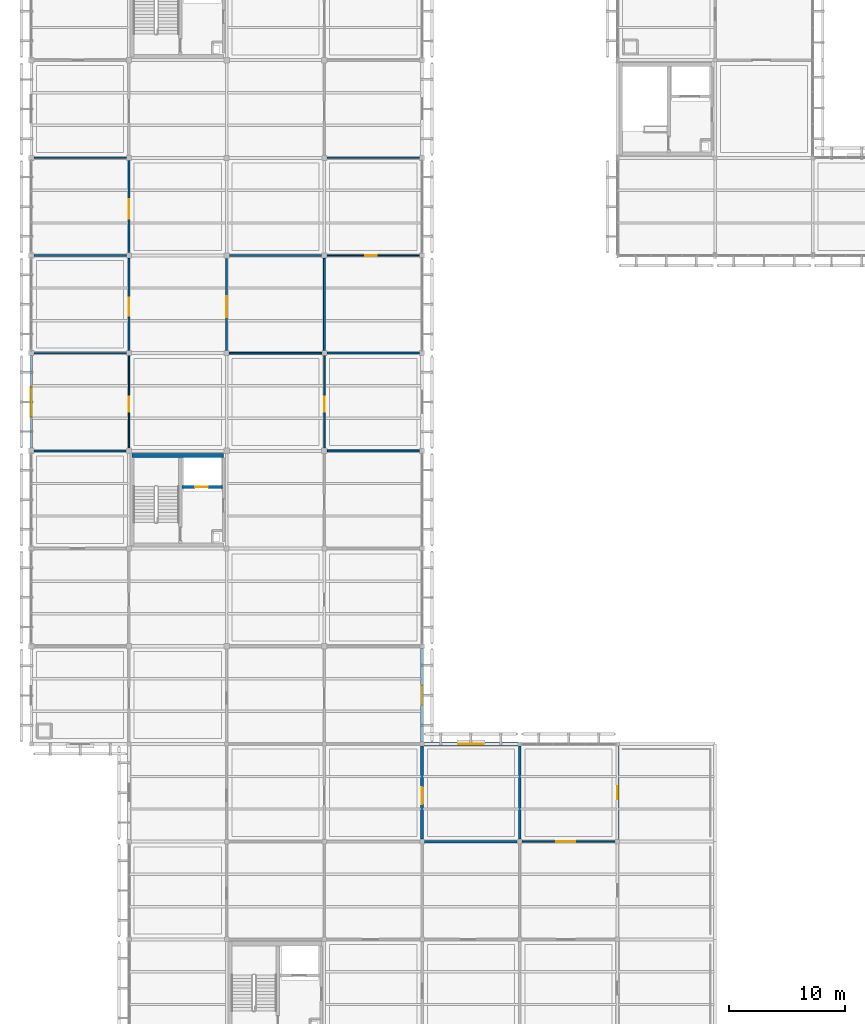
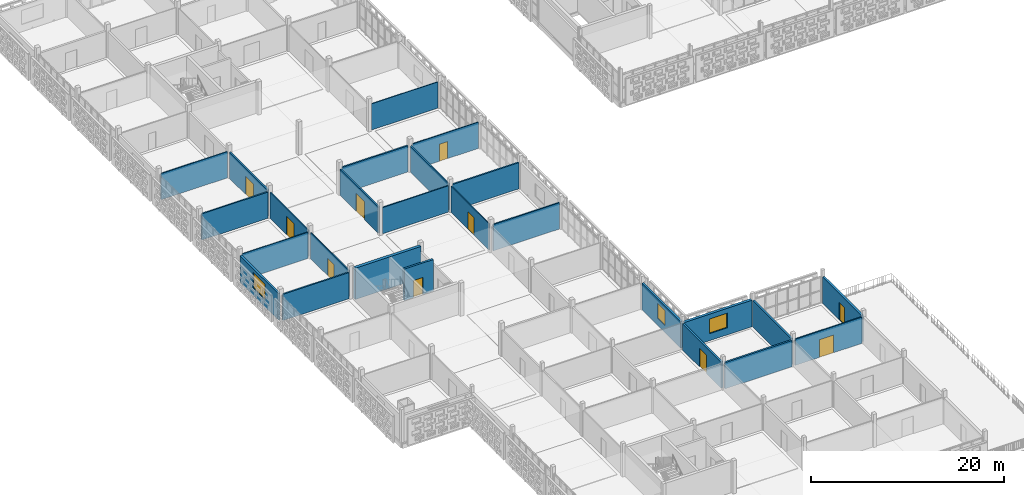
# One storey, part 85 of 140: 26 walls, 10 doors, 3 windows, 13 openings.
"""IFC4 building model written with IfcOpenShell, lengths in metres."""

from ifc_helpers import new_model, si_unit, direction, frame, frame_2d, origin, place, context, subcontext, project, spatial, rectangle, extrude, material, layer, layer_set, type_object, element, fill, save


model = new_model("IFC4")

# Units and contexts
model_context = context("Model", 3, precision=1e-05, world=origin(), true_north=direction((0.0, 1.0)))
body_context = subcontext(model_context, "Body", "Model", "MODEL_VIEW")
ifc_project = project(units=[si_unit("LENGTHUNIT", "METRE"), si_unit("AREAUNIT", "SQUARE_METRE"), si_unit("VOLUMEUNIT", "CUBIC_METRE"), si_unit("PLANEANGLEUNIT", "RADIAN"), si_unit("MASSUNIT", "GRAM", prefix="KILO")], contexts=[model_context])

# Site, building, storey
site_placement = place(None, origin())
site = spatial("IfcSite", under=ifc_project, at=site_placement, CompositionType="ELEMENT")
building_placement = place(site_placement, origin())
building = spatial("IfcBuilding", under=site, at=building_placement, Name="Varnapada Polytechnic", CompositionType="ELEMENT")
storey_placement = place(building_placement, frame((0.0, 0.0, 13.800048828125)))
storey = spatial("IfcBuildingStorey", under=building, at=storey_placement, Name="L03", CompositionType="ELEMENT", Elevation=13.800048828125)

# Wall, opening, door
ifc_material_1 = material(Name="Gypsum Plasterboard Acoustic Partition")
ifc_layer_1 = layer(ifc_material_1, 0.125)
ifc_layer_set_1 = layer_set([ifc_layer_1], Name="Gypsum Plasterboard Acoustic Partition")
wall_type_1 = type_object("IfcWallType", Name="Interior Wall IW-03", PredefinedType="PARTITIONING", material=ifc_layer_set_1)
wall_1_placement = place(storey_placement, frame((25.199951171875, 67.449951171875, 0.0), z_axis=(0.0, 0.0, 1.0), x_axis=(0.0, 1.0, 0.0)))
wall_1 = element("IfcWall", 1, at=wall_1_placement, inside=storey, type_object=wall_type_1, Name="L03 interior partition IW-L03-02-08-V", PredefinedType="PARTITIONING", context=body_context, shape_type="SweptSolid", body=[
    extrude(rectangle(XDim=7.91015625, YDim=0.125, at=frame_2d((3.955078125, 0.0))), origin(), (0.0, 0.0, 1.0), 3.320068359375),
])
opening_1_placement = place(wall_1_placement, frame((3.10009765625, 0.0, 0.0)))
opening_1 = element("IfcOpeningElement", 2, at=opening_1_placement, cuts=wall_1, Name="Opening D-1216", PredefinedType="OPENING", context=body_context, shape_type="SweptSolid", body=[
    extrude(rectangle(XDim=1.300048828125, YDim=2.199951171875, at=frame_2d((0.64990234375, 1.10009765625))), frame((0.0, 0.072509765625, 0.0), z_axis=(0.0, -1.0, 0.0), x_axis=(1.0, 0.0, 0.0)), (0.0, 0.0, 1.0), 0.14501953125),
])
ifc_material_2 = material(Name="Acoustic Laminated Timber Leaf", Category="wood")
door_type_1 = type_object("IfcDoorType", Name="Interior Door ID-11", OperationType="NOTDEFINED", PredefinedType="DOOR", material=ifc_material_2)
door_1_placement = place(opening_1_placement, origin())
door_1 = element("IfcDoor", 3, at=door_1_placement, inside=storey, type_object=door_type_1, Name="L03 interior room door D-1216", OperationType="SINGLE_SWING_LEFT", OverallHeight=2.199951171875, OverallWidth=1.300048828125, PredefinedType="DOOR", context=body_context, shape_type="SweptSolid", body=[
    extrude(rectangle(XDim=1.300048828125, YDim=2.199951171875, at=frame_2d((0.64990234375, 1.10009765625))), frame((0.0, 0.02490234375, 0.0), z_axis=(0.0, -1.0, 0.0), x_axis=(1.0, 0.0, 0.0)), (0.0, 0.0, 1.0), 0.050048828125),
])
fill(opening_1, door_1)

# Wall
ifc_material_3 = material(Name="Moisture-Resistant Cement Board Partition")
ifc_layer_2 = layer(ifc_material_3, 0.139892578125)
ifc_layer_set_2 = layer_set([ifc_layer_2], Name="Moisture-Resistant Cement Board Partition")
wall_type_2 = type_object("IfcWallType", Name="Interior Wall IW-04", PredefinedType="PARTITIONING", material=ifc_layer_set_2)
wall_2_placement = place(storey_placement, frame((17.0400390625, 75.60009765625, 0.0), z_axis=(0.0, 0.0, 1.0), x_axis=(1.0, 0.0, 0.0)))
element("IfcWall", 4, at=wall_2_placement, inside=storey, type_object=wall_type_2, Name="L03 interior partition IW-L03-02-08-H", PredefinedType="PARTITIONING", context=body_context, shape_type="SweptSolid", body=[
    extrude(rectangle(XDim=7.919921875, YDim=0.139892578125, at=frame_2d((3.9599609375, 0.0))), origin(), (0.0, 0.0, 1.0), 3.320068359375),
])

# Wall, opening, door
wall_3_placement = place(storey_placement, frame((42.219970703125, 33.60009765625, 0.0), z_axis=(0.0, 0.0, 1.0), x_axis=(1.0, 0.0, 0.0)))
wall_3 = element("IfcWall", 5, at=wall_3_placement, inside=storey, type_object=wall_type_2, Name="L03 interior partition IW-L03-05-03-H", PredefinedType="PARTITIONING", context=body_context, shape_type="SweptSolid", body=[
    extrude(rectangle(XDim=7.969970703125, YDim=0.139892578125, at=frame_2d((3.98486328125, 0.0))), origin(), (0.0, 0.0, 1.0), 3.320068359375),
])
opening_2_placement = place(wall_3_placement, frame((2.925048828125, 0.0, 0.0)))
opening_2 = element("IfcOpeningElement", 6, at=opening_2_placement, cuts=wall_3, Name="Opening D-1230", PredefinedType="OPENING", context=body_context, shape_type="SweptSolid", body=[
    extrude(rectangle(XDim=1.64990234375, YDim=2.25, at=frame_2d((0.824951171875, 1.125))), frame((0.0, 0.079833984375, 0.0), z_axis=(0.0, -1.0, 0.0), x_axis=(1.0, 0.0, 0.0)), (0.0, 0.0, 1.0), 0.159912109375),
])
ifc_material_4 = material(Name="Solid Teak Hardwood Timber", Category="wood")
door_type_2 = type_object("IfcDoorType", Name="Interior Door ID-08", OperationType="NOTDEFINED", PredefinedType="DOOR", material=ifc_material_4)
door_2_placement = place(opening_2_placement, origin())
door_2 = element("IfcDoor", 7, at=door_2_placement, inside=storey, type_object=door_type_2, Name="L03 interior room door D-1230", OperationType="SINGLE_SWING_LEFT", OverallHeight=2.25, OverallWidth=1.64990234375, PredefinedType="DOOR", context=body_context, shape_type="SweptSolid", body=[
    extrude(rectangle(XDim=1.64990234375, YDim=2.25, at=frame_2d((0.824951171875, 1.125))), frame((0.0, 0.02490234375, 0.0), z_axis=(0.0, -1.0, 0.0), x_axis=(1.0, 0.0, 0.0)), (0.0, 0.0, 1.0), 0.050048828125),
])
fill(opening_2, door_2)

# Walls
ifc_material_5 = material(Name="Cross-laminated timber CLT C24", Category="wood")
ifc_layer_3 = layer(ifc_material_5, 0.159912109375)
ifc_layer_set_3 = layer_set([ifc_layer_3], Name="Cross-laminated timber CLT C24")
wall_type_3 = type_object("IfcWallType", Name="Interior Wall IW-05", PredefinedType="PARTITIONING", material=ifc_layer_set_3)
wall_4_placement = place(storey_placement, frame((25.199951171875, 75.840087890625, 0.0), z_axis=(0.0, 0.0, 1.0), x_axis=(0.0, 1.0, 0.0)))
element("IfcWall", 8, at=wall_4_placement, inside=storey, type_object=wall_type_3, Name="L03 interior partition IW-L03-02-09-V", PredefinedType="PARTITIONING", context=body_context, shape_type="SweptSolid", body=[
    extrude(rectangle(XDim=7.909912109375, YDim=0.159912109375, at=frame_2d((3.955078125, 0.0))), origin(), (0.0, 0.0, 1.0), 3.320068359375),
])
wall_5_placement = place(storey_placement, frame((25.449951171875, 67.199951171875, 0.0), z_axis=(0.0, 0.0, 1.0), x_axis=(1.0, 0.0, 0.0)))
element("IfcWall", 9, at=wall_5_placement, inside=storey, type_object=wall_type_3, Name="L03 interior partition IW-L03-03-07-H", PredefinedType="PARTITIONING", context=body_context, shape_type="SweptSolid", body=[
    extrude(rectangle(XDim=7.920166015625, YDim=0.159912109375, at=frame_2d((3.9599609375, 0.0))), origin(), (0.0, 0.0, 1.0), 3.320068359375),
])
ifc_material_6 = material(Name="Acoustic Double-Stud Studio Partition")
ifc_layer_4 = layer(ifc_material_6, 0.179931640625)
ifc_layer_set_4 = layer_set([ifc_layer_4], Name="Acoustic Double-Stud Studio Partition")
wall_type_4 = type_object("IfcWallType", Name="Interior Wall IW-06", PredefinedType="PARTITIONING", material=ifc_layer_set_4)
wall_6_placement = place(storey_placement, frame((0.25, 67.199951171875, 0.0), z_axis=(0.0, 0.0, 1.0), x_axis=(1.0, 0.0, 0.0)))
element("IfcWall", 10, at=wall_6_placement, inside=storey, type_object=wall_type_4, Name="L03 interior partition IW-L03-00-07-H", PredefinedType="PARTITIONING", context=body_context, shape_type="SweptSolid", body=[
    extrude(rectangle(XDim=7.89990234375, YDim=0.179931640625, at=frame_2d((3.949951171875, 0.0))), origin(), (0.0, 0.0, 1.0), 3.320068359375),
])

# Wall, opening, door
wall_7_placement = place(storey_placement, frame((16.800048828125, 75.840087890625, 0.0), z_axis=(0.0, 0.0, 1.0), x_axis=(0.0, 1.0, 0.0)))
wall_7 = element("IfcWall", 11, at=wall_7_placement, inside=storey, type_object=wall_type_4, Name="L03 interior partition IW-L03-01-09-V", PredefinedType="PARTITIONING", context=body_context, shape_type="SweptSolid", body=[
    extrude(rectangle(XDim=7.909912109375, YDim=0.179931640625, at=frame_2d((3.955078125, 0.0))), origin(), (0.0, 0.0, 1.0), 3.320068359375),
])
opening_3_placement = place(wall_7_placement, frame((2.85009765625, 0.0, 0.0)))
opening_3 = element("IfcOpeningElement", 12, at=opening_3_placement, cuts=wall_7, Name="Opening D-1209", PredefinedType="OPENING", context=body_context, shape_type="SweptSolid", body=[
    extrude(rectangle(XDim=1.800048828125, YDim=2.300048828125, at=frame_2d((0.89990234375, 1.14990234375))), frame((0.0, 0.099853515625, 0.0), z_axis=(0.0, -1.0, 0.0), x_axis=(1.0, 0.0, 0.0)), (0.0, 0.0, 1.0), 0.199951171875),
])
ifc_material_7 = material(Name="Acoustic Double Timber Leaf", Category="wood")
door_type_3 = type_object("IfcDoorType", Name="Interior Door ID-04", OperationType="NOTDEFINED", PredefinedType="DOOR", material=ifc_material_7)
door_3_placement = place(opening_3_placement, origin())
door_3 = element("IfcDoor", 13, at=door_3_placement, inside=storey, type_object=door_type_3, Name="L03 interior room door D-1209", OperationType="SINGLE_SWING_RIGHT", OverallHeight=2.300048828125, OverallWidth=1.800048828125, PredefinedType="DOOR", context=body_context, shape_type="SweptSolid", body=[
    extrude(rectangle(XDim=1.800048828125, YDim=2.300048828125, at=frame_2d((0.89990234375, 1.14990234375))), frame((0.0, 0.02490234375, 0.0), z_axis=(0.0, -1.0, 0.0), x_axis=(1.0, 0.0, 0.0)), (0.0, 0.0, 1.0), 0.050048828125),
])
fill(opening_3, door_3)

# Walls
wall_8_placement = place(storey_placement, frame((17.050048828125, 84.0, 0.0), z_axis=(0.0, 0.0, 1.0), x_axis=(1.0, 0.0, 0.0)))
element("IfcWall", 14, at=wall_8_placement, inside=storey, type_object=wall_type_4, Name="L03 interior partition IW-L03-02-09-H", PredefinedType="PARTITIONING", context=body_context, shape_type="SweptSolid", body=[
    extrude(rectangle(XDim=7.89990234375, YDim=0.179931640625, at=frame_2d((3.949951171875, 0.0))), origin(), (0.0, 0.0, 1.0), 3.320068359375),
])
wall_9_placement = place(storey_placement, frame((25.43994140625, 75.60009765625, 0.0), z_axis=(0.0, 0.0, 1.0), x_axis=(1.0, 0.0, 0.0)))
element("IfcWall", 15, at=wall_9_placement, inside=storey, type_object=wall_type_4, Name="L03 interior partition IW-L03-03-08-H", PredefinedType="PARTITIONING", context=body_context, shape_type="SweptSolid", body=[
    extrude(rectangle(XDim=7.93017578125, YDim=0.179931640625, at=frame_2d((3.965087890625, 0.0))), origin(), (0.0, 0.0, 1.0), 3.320068359375),
])

# Wall, opening, door
ifc_material_8 = material(Name="Glazed Timber-Framed Studio Screen", Category="wood")
ifc_layer_5 = layer(ifc_material_8, 0.110107421875)
ifc_layer_set_5 = layer_set([ifc_layer_5], Name="Glazed Timber-Framed Studio Screen")
wall_type_5 = type_object("IfcWallType", Name="Interior Wall IW-07", PredefinedType="PARTITIONING", material=ifc_layer_set_5)
wall_10_placement = place(storey_placement, frame((8.39990234375, 67.449951171875, 0.0), z_axis=(0.0, 0.0, 1.0), x_axis=(0.0, 1.0, 0.0)))
wall_10 = element("IfcWall", 16, at=wall_10_placement, inside=storey, type_object=wall_type_5, Name="L03 interior partition IW-L03-00-08-V", PredefinedType="PARTITIONING", context=body_context, shape_type="SweptSolid", body=[
    extrude(rectangle(XDim=7.91015625, YDim=0.110107421875, at=frame_2d((3.955078125, 0.0))), origin(), (0.0, 0.0, 1.0), 3.320068359375),
])
opening_4_placement = place(wall_10_placement, frame((3.10009765625, 0.0, 0.0)))
opening_4 = element("IfcOpeningElement", 17, at=opening_4_placement, cuts=wall_10, Name="Opening D-1199", PredefinedType="OPENING", context=body_context, shape_type="SweptSolid", body=[
    extrude(rectangle(XDim=1.300048828125, YDim=2.199951171875, at=frame_2d((0.64990234375, 1.10009765625))), frame((0.0, 0.06494140625, 0.0), z_axis=(0.0, -1.0, 0.0), x_axis=(1.0, 0.0, 0.0)), (0.0, 0.0, 1.0), 0.130126953125),
])
door_4_placement = place(opening_4_placement, frame((1.300048828125, 0.0, 0.0), z_axis=(0.0, 0.0, 1.0), x_axis=(-1.0, 0.0, 0.0)))
door_4 = element("IfcDoor", 18, at=door_4_placement, inside=storey, type_object=door_type_1, Name="L03 interior room door D-1199", OperationType="SINGLE_SWING_RIGHT", OverallHeight=2.199951171875, OverallWidth=1.300048828125, PredefinedType="DOOR", context=body_context, shape_type="SweptSolid", body=[
    extrude(rectangle(XDim=1.300048828125, YDim=2.199951171875, at=frame_2d((0.64990234375, 1.10009765625))), frame((0.0, 0.02490234375, 0.0), z_axis=(0.0, -1.0, 0.0), x_axis=(1.0, 0.0, 0.0)), (0.0, 0.0, 1.0), 0.050048828125),
])
fill(opening_4, door_4)

wall_11_placement = place(storey_placement, frame((25.449951171875, 84.0, 0.0), z_axis=(0.0, 0.0, 1.0), x_axis=(1.0, 0.0, 0.0)))
wall_11 = element("IfcWall", 19, at=wall_11_placement, inside=storey, type_object=wall_type_5, Name="L03 interior partition IW-L03-03-09-H", PredefinedType="PARTITIONING", context=body_context, shape_type="SweptSolid", body=[
    extrude(rectangle(XDim=7.920166015625, YDim=0.110107421875, at=frame_2d((3.9599609375, 0.0))), origin(), (0.0, 0.0, 1.0), 3.320068359375),
])
opening_5_placement = place(wall_11_placement, frame((3.25, 0.0, 0.0)))
opening_5 = element("IfcOpeningElement", 20, at=opening_5_placement, cuts=wall_11, Name="Opening D-1224", PredefinedType="OPENING", context=body_context, shape_type="SweptSolid", body=[
    extrude(rectangle(XDim=1.0, YDim=2.14990234375, at=frame_2d((0.5, 1.074951171875))), frame((0.0, 0.06494140625, 0.0), z_axis=(0.0, -1.0, 0.0), x_axis=(1.0, 0.0, 0.0)), (0.0, 0.0, 1.0), 0.130126953125),
])
door_type_4 = type_object("IfcDoorType", Name="Interior Door ID-02", OperationType="NOTDEFINED", PredefinedType="DOOR", material=ifc_material_4)
door_5_placement = place(opening_5_placement, origin())
door_5 = element("IfcDoor", 21, at=door_5_placement, inside=storey, type_object=door_type_4, Name="L03 interior room door D-1224", OperationType="SINGLE_SWING_LEFT", OverallHeight=2.14990234375, OverallWidth=1.0, PredefinedType="DOOR", context=body_context, shape_type="SweptSolid", body=[
    extrude(rectangle(XDim=1.0, YDim=2.14990234375, at=frame_2d((0.5, 1.074951171875))), frame((0.0, 0.02490234375, 0.0), z_axis=(0.0, -1.0, 0.0), x_axis=(1.0, 0.0, 0.0)), (0.0, 0.0, 1.0), 0.050048828125),
])
fill(opening_5, door_5)

# Walls
ifc_material_9 = material(Name="Operable Acoustic Seminar Partition")
ifc_layer_6 = layer(ifc_material_9, 0.10009765625)
ifc_layer_set_6 = layer_set([ifc_layer_6], Name="Operable Acoustic Seminar Partition")
wall_type_6 = type_object("IfcWallType", Name="Interior Wall IW-08", PredefinedType="MOVABLE", material=ifc_layer_set_6)
wall_12_placement = place(storey_placement, frame((0.239990234375, 75.60009765625, 0.0), z_axis=(0.0, 0.0, 1.0), x_axis=(1.0, 0.0, 0.0)))
element("IfcWall", 22, at=wall_12_placement, inside=storey, type_object=wall_type_6, Name="L03 interior partition IW-L03-00-08-H", PredefinedType="MOVABLE", context=body_context, shape_type="SweptSolid", body=[
    extrude(rectangle(XDim=7.919921875, YDim=0.10009765625, at=frame_2d((3.9599609375, 0.0))), origin(), (0.0, 0.0, 1.0), 3.320068359375),
])
wall_13_placement = place(storey_placement, frame((25.43994140625, 92.39990234375, 0.0), z_axis=(0.0, 0.0, 1.0), x_axis=(1.0, 0.0, 0.0)))
element("IfcWall", 23, at=wall_13_placement, inside=storey, type_object=wall_type_6, Name="L03 interior partition IW-L03-03-10-H", PredefinedType="MOVABLE", context=body_context, shape_type="SweptSolid", body=[
    extrude(rectangle(XDim=7.93017578125, YDim=0.10009765625, at=frame_2d((3.965087890625, 0.0))), origin(), (0.0, 0.0, 1.0), 3.320068359375),
])

# Wall, opening, door
ifc_material_10 = material(Name="Calcium Silicate Acoustic Lab Partition")
ifc_layer_7 = layer(ifc_material_10, 0.135009765625)
ifc_layer_set_7 = layer_set([ifc_layer_7], Name="Calcium Silicate Acoustic Lab Partition")
wall_type_7 = type_object("IfcWallType", Name="Interior Wall IW-09", PredefinedType="PARTITIONING", material=ifc_layer_set_7)
wall_14_placement = place(storey_placement, frame((8.39990234375, 75.840087890625, 0.0), z_axis=(0.0, 0.0, 1.0), x_axis=(0.0, 1.0, 0.0)))
wall_14 = element("IfcWall", 24, at=wall_14_placement, inside=storey, type_object=wall_type_7, Name="L03 interior partition IW-L03-00-09-V", PredefinedType="PARTITIONING", context=body_context, shape_type="SweptSolid", body=[
    extrude(rectangle(XDim=7.909912109375, YDim=0.135009765625, at=frame_2d((3.955078125, 0.0))), origin(), (0.0, 0.0, 1.0), 3.320068359375),
])
opening_6_placement = place(wall_14_placement, frame((2.97509765625, 0.0, 0.0)))
opening_6 = element("IfcOpeningElement", 25, at=opening_6_placement, cuts=wall_14, Name="Opening D-1200", PredefinedType="OPENING", context=body_context, shape_type="SweptSolid", body=[
    extrude(rectangle(XDim=1.550048828125, YDim=2.35009765625, at=frame_2d((0.77490234375, 1.175048828125))), frame((0.0, 0.077392578125, 0.0), z_axis=(0.0, -1.0, 0.0), x_axis=(1.0, 0.0, 0.0)), (0.0, 0.0, 1.0), 0.155029296875),
])
ifc_material_11 = material(Name="Galvanized Steel Z275", Category="steel")
door_type_5 = type_object("IfcDoorType", Name="Interior Door ID-12", OperationType="NOTDEFINED", PredefinedType="DOOR", material=ifc_material_11)
door_6_placement = place(opening_6_placement, origin())
door_6 = element("IfcDoor", 26, at=door_6_placement, inside=storey, type_object=door_type_5, Name="L03 interior room door D-1200", OperationType="SINGLE_SWING_LEFT", OverallHeight=2.35009765625, OverallWidth=1.550048828125, PredefinedType="DOOR", context=body_context, shape_type="SweptSolid", body=[
    extrude(rectangle(XDim=1.550048828125, YDim=2.35009765625, at=frame_2d((0.77490234375, 1.175048828125))), frame((0.0, 0.02490234375, 0.0), z_axis=(0.0, -1.0, 0.0), x_axis=(1.0, 0.0, 0.0)), (0.0, 0.0, 1.0), 0.050048828125),
])
fill(opening_6, door_6)

# Wall
ifc_material_12 = material(Name="Double-Layer Fireboard Workshop Wall")
ifc_layer_8 = layer(ifc_material_12, 0.169921875)
ifc_layer_set_8 = layer_set([ifc_layer_8], Name="Double-Layer Fireboard Workshop Wall")
wall_type_8 = type_object("IfcWallType", Name="Interior Wall IW-10", PredefinedType="PARTITIONING", material=ifc_layer_set_8)
wall_15_placement = place(storey_placement, frame((0.25, 84.0, 0.0), z_axis=(0.0, 0.0, 1.0), x_axis=(1.0, 0.0, 0.0)))
element("IfcWall", 27, at=wall_15_placement, inside=storey, type_object=wall_type_8, Name="L03 interior partition IW-L03-00-09-H", PredefinedType="PARTITIONING", context=body_context, shape_type="SweptSolid", body=[
    extrude(rectangle(XDim=7.89990234375, YDim=0.169921875, at=frame_2d((3.949951171875, 0.0))), origin(), (0.0, 0.0, 1.0), 3.320068359375),
])

# Wall, opening, door
ifc_material_13 = material(Name="Insulated Masonry Plant Room Wall", Category="masonry")
ifc_layer_9 = layer(ifc_material_13, 0.18994140625)
ifc_layer_set_9 = layer_set([ifc_layer_9], Name="Insulated Masonry Plant Room Wall")
wall_type_9 = type_object("IfcWallType", Name="Interior Wall IW-11", PredefinedType="PARTITIONING", material=ifc_layer_set_9)
wall_16_placement = place(storey_placement, frame((8.39990234375, 84.25, 0.0), z_axis=(0.0, 0.0, 1.0), x_axis=(0.0, 1.0, 0.0)))
wall_16 = element("IfcWall", 28, at=wall_16_placement, inside=storey, type_object=wall_type_9, Name="L03 interior partition IW-L03-00-10-V", PredefinedType="PARTITIONING", context=body_context, shape_type="SweptSolid", body=[
    extrude(rectangle(XDim=7.909912109375, YDim=0.18994140625, at=frame_2d((3.955078125, 0.0))), origin(), (0.0, 0.0, 1.0), 3.320068359375),
])
opening_7_placement = place(wall_16_placement, frame((2.89990234375, 0.0, 0.0)))
opening_7 = element("IfcOpeningElement", 29, at=opening_7_placement, cuts=wall_16, Name="Opening D-1201", PredefinedType="OPENING", context=body_context, shape_type="SweptSolid", body=[
    extrude(rectangle(XDim=1.699951171875, YDim=2.300048828125, at=frame_2d((0.85009765625, 1.14990234375))), frame((0.0, 0.10498046875, 0.0), z_axis=(0.0, -1.0, 0.0), x_axis=(1.0, 0.0, 0.0)), (0.0, 0.0, 1.0), 0.2099609375),
])
door_type_6 = type_object("IfcDoorType", Name="Interior Door ID-13", OperationType="NOTDEFINED", PredefinedType="DOOR", material=ifc_material_7)
door_7_placement = place(opening_7_placement, origin())
door_7 = element("IfcDoor", 30, at=door_7_placement, inside=storey, type_object=door_type_6, Name="L03 interior room door D-1201", OperationType="SINGLE_SWING_RIGHT", OverallHeight=2.300048828125, OverallWidth=1.699951171875, PredefinedType="DOOR", context=body_context, shape_type="SweptSolid", body=[
    extrude(rectangle(XDim=1.699951171875, YDim=2.300048828125, at=frame_2d((0.85009765625, 1.14990234375))), frame((0.0, 0.02490234375, 0.0), z_axis=(0.0, -1.0, 0.0), x_axis=(1.0, 0.0, 0.0)), (0.0, 0.0, 1.0), 0.050048828125),
])
fill(opening_7, door_7)

# Walls
ifc_material_14 = material(Name="Timber-Stud Studio Critique Partition", Category="wood")
ifc_layer_10 = layer(ifc_material_14, 0.114990234375)
ifc_layer_set_10 = layer_set([ifc_layer_10], Name="Timber-Stud Studio Critique Partition")
wall_type_10 = type_object("IfcWallType", Name="Interior Wall IW-12", PredefinedType="PARTITIONING", material=ifc_layer_set_10)
wall_17_placement = place(storey_placement, frame((0.239990234375, 92.39990234375, 0.0), z_axis=(0.0, 0.0, 1.0), x_axis=(1.0, 0.0, 0.0)))
element("IfcWall", 31, at=wall_17_placement, inside=storey, type_object=wall_type_10, Name="L03 interior partition IW-L03-00-10-H", PredefinedType="PARTITIONING", context=body_context, shape_type="SweptSolid", body=[
    extrude(rectangle(XDim=7.919921875, YDim=0.114990234375, at=frame_2d((3.9599609375, 0.0))), origin(), (0.0, 0.0, 1.0), 3.320068359375),
])
ifc_material_15 = material(Name="Heavy Masonry Workshop Partition", Category="masonry")
ifc_layer_11 = layer(ifc_material_15, 0.2099609375)
ifc_layer_set_11 = layer_set([ifc_layer_11], Name="Heavy Masonry Workshop Partition")
wall_type_11 = type_object("IfcWallType", Name="Interior Wall IW-16", PredefinedType="PARTITIONING", material=ifc_layer_set_11)
wall_18_placement = place(storey_placement, frame((33.81005859375, 33.60009765625, 0.0), z_axis=(0.0, 0.0, 1.0), x_axis=(1.0, 0.0, 0.0)))
element("IfcWall", 32, at=wall_18_placement, inside=storey, type_object=wall_type_11, Name="L03 interior partition IW-L03-04-03-H", PredefinedType="PARTITIONING", context=body_context, shape_type="SweptSolid", body=[
    extrude(rectangle(XDim=7.969970703125, YDim=0.2099609375, at=frame_2d((3.98486328125, 0.0))), origin(), (0.0, 0.0, 1.0), 3.320068359375),
])

# Wall, opening, door
ifc_material_16 = material(Name="Double-Leaf Acoustic Lecture Wall")
ifc_layer_12 = layer(ifc_material_16, 0.235107421875)
ifc_layer_set_12 = layer_set([ifc_layer_12], Name="Double-Leaf Acoustic Lecture Wall")
wall_type_12 = type_object("IfcWallType", Name="Interior Wall IW-17", PredefinedType="PARTITIONING", material=ifc_layer_set_12)
wall_19_placement = place(storey_placement, frame((33.60009765625, 33.81005859375, 0.0), z_axis=(0.0, 0.0, 1.0), x_axis=(0.0, 1.0, 0.0)))
wall_19 = element("IfcWall", 33, at=wall_19_placement, inside=storey, type_object=wall_type_12, Name="L03 interior partition IW-L03-03-04-V", PredefinedType="PARTITIONING", context=body_context, shape_type="SweptSolid", body=[
    extrude(rectangle(XDim=8.0, YDim=0.235107421875, at=frame_2d((4.0, 0.0))), origin(), (0.0, 0.0, 1.0), 3.320068359375),
])
opening_8_placement = place(wall_19_placement, frame((3.02490234375, 0.0, 0.0)))
opening_8 = element("IfcOpeningElement", 34, at=opening_8_placement, cuts=wall_19, Name="Opening D-1223", PredefinedType="OPENING", context=body_context, shape_type="SweptSolid", body=[
    extrude(rectangle(XDim=1.449951171875, YDim=2.35009765625, at=frame_2d((0.72509765625, 1.175048828125))), frame((0.0, 0.12744140625, 0.0), z_axis=(0.0, -1.0, 0.0), x_axis=(1.0, 0.0, 0.0)), (0.0, 0.0, 1.0), 0.255126953125),
])
door_type_7 = type_object("IfcDoorType", Name="Interior Door ID-18", OperationType="NOTDEFINED", PredefinedType="DOOR", material=ifc_material_11)
door_8_placement = place(opening_8_placement, frame((1.449951171875, 0.0, 0.0), z_axis=(0.0, 0.0, 1.0), x_axis=(-1.0, 0.0, 0.0)))
door_8 = element("IfcDoor", 35, at=door_8_placement, inside=storey, type_object=door_type_7, Name="L03 interior room door D-1223", OperationType="SINGLE_SWING_RIGHT", OverallHeight=2.35009765625, OverallWidth=1.449951171875, PredefinedType="DOOR", context=body_context, shape_type="SweptSolid", body=[
    extrude(rectangle(XDim=1.449951171875, YDim=2.35009765625, at=frame_2d((0.72509765625, 1.175048828125))), frame((0.0, 0.02490234375, 0.0), z_axis=(0.0, -1.0, 0.0), x_axis=(1.0, 0.0, 0.0)), (0.0, 0.0, 1.0), 0.050048828125),
])
fill(opening_8, door_8)

# Walls
wall_20_placement = place(storey_placement, frame((42.0, 33.820068359375, 0.0), z_axis=(0.0, 0.0, 1.0), x_axis=(0.0, 1.0, 0.0)))
element("IfcWall", 36, at=wall_20_placement, inside=storey, type_object=wall_type_12, Name="L03 interior partition IW-L03-04-04-V", PredefinedType="PARTITIONING", context=body_context, shape_type="SweptSolid", body=[
    extrude(rectangle(XDim=7.989990234375, YDim=0.235107421875, at=frame_2d((3.9951171875, 0.0))), origin(), (0.0, 0.0, 1.0), 3.320068359375),
])
ifc_material_17 = material(Name="Concrete C40/50", Category="concrete")
ifc_layer_13 = layer(ifc_material_17, 0.35009765625)
ifc_layer_set_13 = layer_set([ifc_layer_13], Name="Concrete C40/50")
wall_type_13 = type_object("IfcWallType", Name="Interior Wall SW-01", PredefinedType="SHEAR", material=ifc_layer_set_13)
wall_21_placement = place(storey_placement, frame((8.6650390625, 66.820068359375, 0.0), z_axis=(0.0, 0.0, 1.0), x_axis=(1.0, 0.0, 0.0)))
element("IfcWall", 37, at=wall_21_placement, inside=storey, type_object=wall_type_13, Name="L03 C2 core north shear wall", PredefinedType="SHEAR", context=body_context, shape_type="SweptSolid", body=[
    extrude(rectangle(XDim=7.875, YDim=0.35009765625, at=frame_2d((3.9375, 0.0))), origin(), (0.0, 0.0, 1.0), 3.97998046875),
])

# Wall, opening, door
ifc_layer_14 = layer(ifc_material_17, 0.25)
ifc_layer_set_14 = layer_set([ifc_layer_14], Name="Concrete C40/50")
wall_type_14 = type_object("IfcWallType", Name="Interior Wall SW-05", PredefinedType="SHEAR", material=ifc_layer_set_14)
wall_22_placement = place(storey_placement, frame((12.97998046875, 64.080078125, 0.0), z_axis=(0.0, 0.0, 1.0), x_axis=(1.0, 0.0, 0.0)))
wall_22 = element("IfcWall", 38, at=wall_22_placement, inside=storey, type_object=wall_type_14, Name="L03 C2 lift shaft front wall", PredefinedType="SHEAR", context=body_context, shape_type="SweptSolid", body=[
    extrude(rectangle(XDim=3.4599609375, YDim=0.25, at=frame_2d((1.72998046875, 0.0))), origin(), (0.0, 0.0, 1.0), 3.97998046875),
])
opening_9_placement = place(wall_22_placement, frame((1.10009765625, 0.0, 0.0)))
opening_9 = element("IfcOpeningElement", 39, at=opening_9_placement, cuts=wall_22, Name="Opening LD-025", PredefinedType="OPENING", context=body_context, shape_type="SweptSolid", body=[
    extrude(rectangle(XDim=1.10009765625, YDim=2.14990234375, at=frame_2d((0.550048828125, 1.074951171875))), frame((0.0, 0.135009765625, 0.0), z_axis=(0.0, -1.0, 0.0), x_axis=(1.0, 0.0, 0.0)), (0.0, 0.0, 1.0), 0.27001953125),
])
ifc_material_18 = material(Name="Brushed Stainless Steel 316", Category="steel")
door_type_8 = type_object("IfcDoorType", Name="Interior Door LD-01", OperationType="NOTDEFINED", PredefinedType="DOOR", material=ifc_material_18)
door_9_placement = place(opening_9_placement, origin())
door_9 = element("IfcDoor", 40, at=door_9_placement, inside=storey, type_object=door_type_8, Name="L03 LFT-02 sliding lift landing door LD-025", OperationType="DOUBLE_DOOR_SLIDING", OverallHeight=2.14990234375, OverallWidth=1.10009765625, PredefinedType="DOOR", context=body_context, shape_type="SweptSolid", body=[
    extrude(rectangle(XDim=1.10009765625, YDim=2.14990234375, at=frame_2d((0.550048828125, 1.074951171875))), frame((0.0, 0.02490234375, 0.0), z_axis=(0.0, -1.0, 0.0), x_axis=(1.0, 0.0, 0.0)), (0.0, 0.0, 1.0), 0.050048828125),
])
fill(opening_9, door_9)

ifc_material_19 = material(Name="Precast concrete C40/50", Category="concrete")
ifc_layer_15 = layer(ifc_material_19, 0.260009765625)
ifc_layer_set_15 = layer_set([ifc_layer_15], Name="Precast concrete C40/50")
wall_type_15 = type_object("IfcWallType", Name="Wall EW-03", PredefinedType="SOLIDWALL", material=ifc_layer_set_15)
wall_23_placement = place(storey_placement, frame((50.39990234375, 41.830078125, 0.0), z_axis=(0.0, 0.0, 1.0), x_axis=(0.0, -1.0, 0.0)))
wall_23 = element("IfcWall", 41, at=wall_23_placement, inside=storey, type_object=wall_type_15, Name="L03 exterior wall EW-03 (40)", PredefinedType="SOLIDWALL", context=body_context, shape_type="SweptSolid", body=[
    extrude(rectangle(XDim=8.0400390625, YDim=0.260009765625, at=frame_2d((4.02001953125, 0.0))), origin(), (0.0, 0.0, 1.0), 3.35986328125),
])
opening_10_placement = place(wall_23_placement, frame((3.469970703125, 0.0, 0.0)))
opening_10 = element("IfcOpeningElement", 42, at=opening_10_placement, cuts=wall_23, Name="Opening D-038", PredefinedType="OPENING", context=body_context, shape_type="SweptSolid", body=[
    extrude(rectangle(XDim=1.10009765625, YDim=2.199951171875, at=frame_2d((0.550048828125, 1.10009765625))), frame((0.0, 0.139892578125, 0.0), z_axis=(0.0, -1.0, 0.0), x_axis=(1.0, 0.0, 0.0)), (0.0, 0.0, 1.0), 0.280029296875),
])
ifc_material_20 = material(Name="Anodised aluminium and laminated glass", Category="aluminium")
door_type_9 = type_object("IfcDoorType", Name="Exterior Door ED-03", OperationType="NOTDEFINED", PredefinedType="DOOR", material=ifc_material_20)
door_10_placement = place(opening_10_placement, origin())
door_10 = element("IfcDoor", 43, at=door_10_placement, inside=storey, type_object=door_type_9, Name="L03 roof terrace access door D-038", OperationType="SINGLE_SWING_LEFT", OverallHeight=2.199951171875, OverallWidth=1.10009765625, PredefinedType="DOOR", context=body_context, shape_type="SweptSolid", body=[
    extrude(rectangle(XDim=1.10009765625, YDim=2.199951171875, at=frame_2d((0.550048828125, 1.10009765625))), frame((0.0, 0.02490234375, 0.0), z_axis=(0.0, -1.0, 0.0), x_axis=(1.0, 0.0, 0.0)), (0.0, 0.0, 1.0), 0.050048828125),
])
fill(opening_10, door_10)

# Wall, opening, window
ifc_layer_16 = layer(ifc_material_19, 0.320068359375)
ifc_layer_set_16 = layer_set([ifc_layer_16], Name="Precast concrete C40/50")
wall_type_16 = type_object("IfcWallType", Name="Wall EW-04", PredefinedType="SOLIDWALL", material=ifc_layer_set_16)
wall_24_placement = place(storey_placement, frame((33.77001953125, 42.0, 0.0), z_axis=(0.0, 0.0, 1.0), x_axis=(1.0, 0.0, 0.0)))
wall_24 = element("IfcWall", 44, at=wall_24_placement, inside=storey, type_object=wall_type_16, Name="L03 exterior wall EW-04 (34)", PredefinedType="SOLIDWALL", context=body_context, shape_type="SweptSolid", body=[
    extrude(rectangle(XDim=8.06005859375, YDim=0.320068359375, at=frame_2d((4.030029296875, 0.0))), origin(), (0.0, 0.0, 1.0), 3.35986328125),
])
opening_11_placement = place(wall_24_placement, frame((2.955078125, 0.0, 0.89990234375)))
opening_11 = element("IfcOpeningElement", 45, at=opening_11_placement, cuts=wall_24, Name="Opening WN-25", PredefinedType="OPENING", context=body_context, shape_type="SweptSolid", body=[
    extrude(rectangle(XDim=2.14990234375, YDim=1.85009765625, at=frame_2d((1.074951171875, 0.925048828125))), frame((0.0, 0.169921875, 0.0), z_axis=(0.0, -1.0, 0.0), x_axis=(1.0, 0.0, 0.0)), (0.0, 0.0, 1.0), 0.340087890625),
])
ifc_material_21 = material(Name="Double low-E laminated glass", Category="glass")
window_type_1 = type_object("IfcWindowType", Name="Window WN-25", PartitioningType="SINGLE_PANEL", PredefinedType="WINDOW", material=ifc_material_21)
window_1_placement = place(opening_11_placement, origin())
window_1 = element("IfcWindow", 46, at=window_1_placement, inside=storey, type_object=window_type_1, Name="L03 window WN-25 (147)", OverallHeight=1.85009765625, OverallWidth=2.14990234375, PartitioningType="SINGLE_PANEL", PredefinedType="WINDOW", context=body_context, shape_type="SweptSolid", body=[
    extrude(rectangle(XDim=2.14990234375, YDim=1.85009765625, at=frame_2d((1.074951171875, 0.925048828125))), frame((0.0, 0.030029296875, 0.0), z_axis=(0.0, -1.0, 0.0), x_axis=(1.0, 0.0, 0.0)), (0.0, 0.0, 1.0), 0.06005859375),
])
fill(opening_11, window_1)

ifc_layer_17 = layer(ifc_material_19, 0.239990234375)
ifc_layer_set_17 = layer_set([ifc_layer_17], Name="Precast concrete C40/50")
wall_type_17 = type_object("IfcWallType", Name="Wall EW-06", PredefinedType="SOLIDWALL", material=ifc_layer_set_17)
wall_25_placement = place(storey_placement, frame((0.0, 67.429931640625, 0.0), z_axis=(0.0, 0.0, 1.0), x_axis=(0.0, 1.0, 0.0)))
wall_25 = element("IfcWall", 47, at=wall_25_placement, inside=storey, type_object=wall_type_17, Name="L03 exterior wall EW-06 (5)", PredefinedType="SOLIDWALL", context=body_context, shape_type="SweptSolid", body=[
    extrude(rectangle(XDim=7.949951171875, YDim=0.239990234375, at=frame_2d((3.97509765625, 0.0))), origin(), (0.0, 0.0, 1.0), 3.35986328125),
])
opening_12_placement = place(wall_25_placement, frame((2.72509765625, 0.0, 0.89990234375)))
opening_12 = element("IfcOpeningElement", 48, at=opening_12_placement, cuts=wall_25, Name="Opening WN-17", PredefinedType="OPENING", context=body_context, shape_type="SweptSolid", body=[
    extrude(rectangle(XDim=2.5, YDim=2.0, at=frame_2d((1.25, 1.0))), frame((0.0, 0.1298828125, 0.0), z_axis=(0.0, -1.0, 0.0), x_axis=(1.0, 0.0, 0.0)), (0.0, 0.0, 1.0), 0.260009765625),
])
window_type_2 = type_object("IfcWindowType", Name="Window WN-17", PartitioningType="SINGLE_PANEL", PredefinedType="WINDOW", material=ifc_material_21)
window_2_placement = place(opening_12_placement, origin())
window_2 = element("IfcWindow", 49, at=window_2_placement, inside=storey, type_object=window_type_2, Name="L03 window WN-17 (134)", OverallHeight=2.0, OverallWidth=2.5, PartitioningType="SINGLE_PANEL", PredefinedType="WINDOW", context=body_context, shape_type="SweptSolid", body=[
    extrude(rectangle(XDim=2.5, YDim=2.0, at=frame_2d((1.25, 1.0))), frame((0.0, 0.030029296875, 0.0), z_axis=(0.0, -1.0, 0.0), x_axis=(1.0, 0.0, 0.0)), (0.0, 0.0, 1.0), 0.06005859375),
])
fill(opening_12, window_2)

wall_26_placement = place(storey_placement, frame((33.60009765625, 50.2099609375, 0.0), z_axis=(0.0, 0.0, 1.0), x_axis=(0.0, -1.0, 0.0)))
wall_26 = element("IfcWall", 50, at=wall_26_placement, inside=storey, type_object=wall_type_17, Name="L03 exterior wall EW-06 (22)", PredefinedType="SOLIDWALL", context=body_context, shape_type="SweptSolid", body=[
    extrude(rectangle(XDim=8.0400390625, YDim=0.239990234375, at=frame_2d((4.02001953125, 0.0))), origin(), (0.0, 0.0, 1.0), 3.35986328125),
])
opening_13_placement = place(wall_26_placement, frame((3.195068359375, 0.0, 0.89990234375)))
opening_13 = element("IfcOpeningElement", 51, at=opening_13_placement, cuts=wall_26, Name="Opening WN-23", PredefinedType="OPENING", context=body_context, shape_type="SweptSolid", body=[
    extrude(rectangle(XDim=1.64990234375, YDim=1.89990234375, at=frame_2d((0.824951171875, 0.949951171875))), frame((0.0, 0.1298828125, 0.0), z_axis=(0.0, -1.0, 0.0), x_axis=(1.0, 0.0, 0.0)), (0.0, 0.0, 1.0), 0.260009765625),
])
window_type_3 = type_object("IfcWindowType", Name="Window WN-23", PartitioningType="SINGLE_PANEL", PredefinedType="WINDOW", material=ifc_material_21)
window_3_placement = place(opening_13_placement, origin())
window_3 = element("IfcWindow", 52, at=window_3_placement, inside=storey, type_object=window_type_3, Name="L03 window WN-23 (141)", OverallHeight=1.89990234375, OverallWidth=1.64990234375, PartitioningType="SINGLE_PANEL", PredefinedType="WINDOW", context=body_context, shape_type="SweptSolid", body=[
    extrude(rectangle(XDim=1.64990234375, YDim=1.89990234375, at=frame_2d((0.824951171875, 0.949951171875))), frame((0.0, 0.030029296875, 0.0), z_axis=(0.0, -1.0, 0.0), x_axis=(1.0, 0.0, 0.0)), (0.0, 0.0, 1.0), 0.06005859375),
])
fill(opening_13, window_3)

save(model, "model.ifc")
